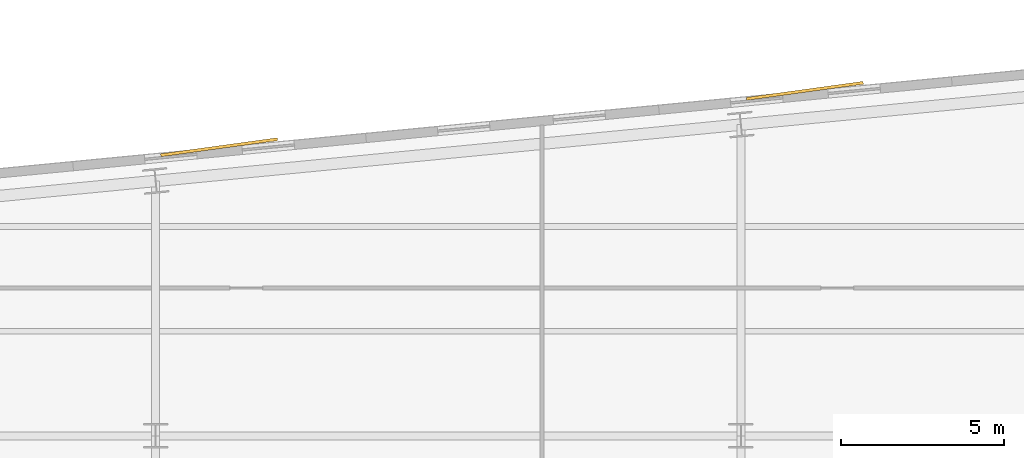
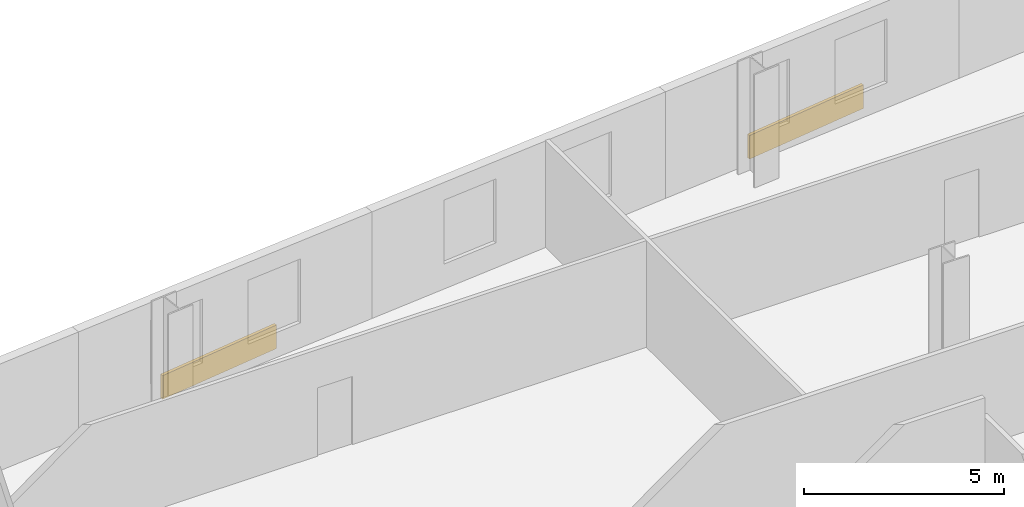
# One storey, part 10 of 10: 2 coverings.
"""IFC4 building model written with IfcOpenShell, lengths in metres."""

from ifc_helpers import new_model, si_unit, direction, frame, origin, origin_2d, place, context, subcontext, project, spatial, rectangle, extrude, material, layer, layer_set, type_object, element, save


model = new_model("IFC4")

# Units and contexts
model_context = context("Model", 3, precision=1e-05, world=origin(), true_north=direction((0.0, 1.0)))
body_context = subcontext(model_context, "Body", "Model", "MODEL_VIEW")
ifc_project = project(units=[si_unit("LENGTHUNIT", "METRE"), si_unit("AREAUNIT", "SQUARE_METRE"), si_unit("VOLUMEUNIT", "CUBIC_METRE"), si_unit("PLANEANGLEUNIT", "RADIAN"), si_unit("MASSUNIT", "GRAM", prefix="KILO")], contexts=[model_context])

# Site, building, storey
site_placement = place(None, origin())
site = spatial("IfcSite", under=ifc_project, at=site_placement, CompositionType="ELEMENT")
building_placement = place(site_placement, origin())
building = spatial("IfcBuilding", under=site, at=building_placement, Name="Velakula Bourse", CompositionType="ELEMENT")
storey_placement = place(building_placement, frame((0.0, 0.0, 94.89990234375)))
storey = spatial("IfcBuildingStorey", under=building, at=storey_placement, Name="L25", CompositionType="ELEMENT", Elevation=94.89990234375)

# Coverings
ifc_material = material(Name="Buff kilned clay facing brick masonry", Category="masonry")
ifc_layer = layer(ifc_material, 0.074951171875, Name="Buff kilned clay facing brick masonry", Category="masonry")
ifc_layer_set = layer_set([ifc_layer], Name="Buff kilned clay facing brick masonry")
covering_type = type_object("IfcCoveringType", Name="COV-BRK-SPN-75", PredefinedType="CLADDING", material=ifc_layer_set)
for number, where, z_axis, x_axis, name in (
    (1, (-7.0087890625, 23.428955078125, 0.0), (0.0, 0.0, 1.0), (0.990629029058, 0.136580111242, 0.0), "L25 Folded Brick Facade Cladding Panel N-B2"),
    (2, (10.908447265625, 25.154052734375, 0.0), (0.0, 0.0, 1.0), (0.990629029058, 0.136580111242, 0.0), "L25 Folded Brick Facade Cladding Panel N-B4"),
):
    element("IfcCovering", number, at=place(storey_placement, frame(where, z_axis=z_axis, x_axis=x_axis)), inside=storey, type_object=covering_type, Name=name, PredefinedType="CLADDING", context=body_context, shape_type="SweptSolid", body=[
        extrude(rectangle(XDim=3.60009765625, YDim=0.090087890625, at=origin_2d()), origin(), (0.0, 0.0, 1.0), 0.719970703125),
    ])

save(model, "model.ifc")
